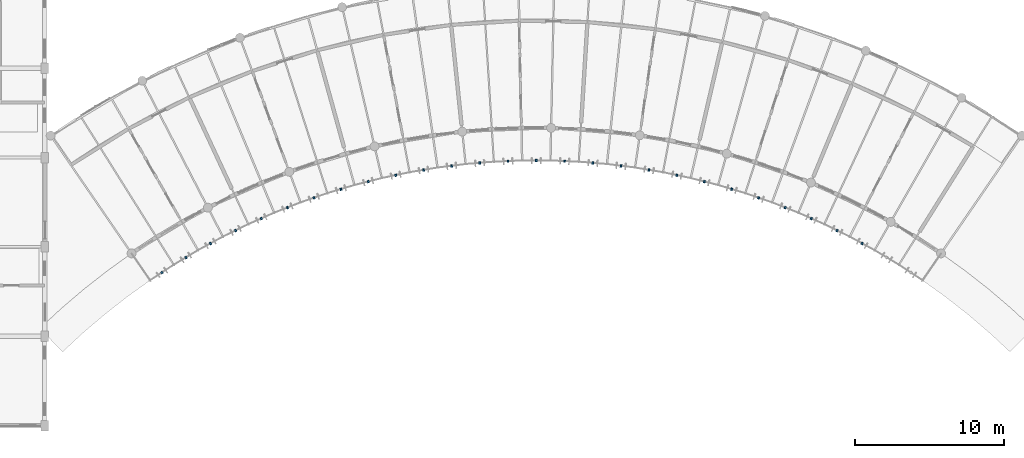
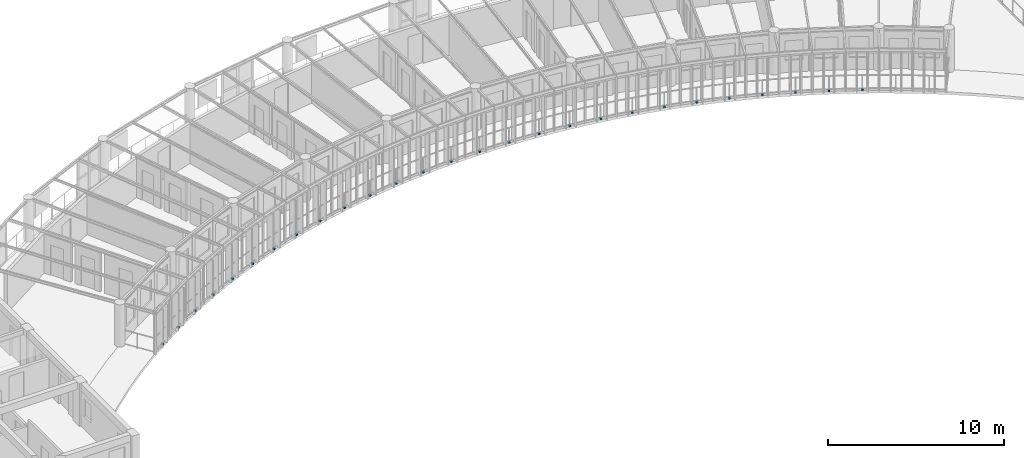
# One storey, part 87 of 101: 27 discrete accessories.
"""IFC4 building model written with IfcOpenShell, lengths in metres."""

from ifc_helpers import new_model, si_unit, direction, frame, origin, origin_2d, place, context, subcontext, project, spatial, rectangle, extrude, material, type_object, element, save


model = new_model("IFC4")

# Units and contexts
model_context = context("Model", 3, precision=1e-05, world=origin(), true_north=direction((0.0, 1.0)))
body_context = subcontext(model_context, "Body", "Model", "MODEL_VIEW")
ifc_project = project(units=[si_unit("LENGTHUNIT", "METRE"), si_unit("AREAUNIT", "SQUARE_METRE"), si_unit("VOLUMEUNIT", "CUBIC_METRE"), si_unit("PLANEANGLEUNIT", "RADIAN"), si_unit("MASSUNIT", "GRAM", prefix="KILO"), si_unit("POWERUNIT", "WATT"), si_unit("THERMODYNAMICTEMPERATUREUNIT", "KELVIN")], contexts=[model_context])

# Site, building, storey
site_placement = place(None, origin())
site = spatial("IfcSite", under=ifc_project, at=site_placement, CompositionType="ELEMENT")
building_placement = place(site_placement, origin())
building = spatial("IfcBuilding", under=site, at=building_placement, Name="Ruvembo Vaulted Housing Court", CompositionType="ELEMENT")
storey_placement = place(building_placement, frame((0.0, 0.0, 17.300048828125)))
storey = spatial("IfcBuildingStorey", under=building, at=storey_placement, Name="L05", CompositionType="ELEMENT", Elevation=17.300048828125)

# Discrete accessories
ifc_material = material(Name="Stainless Steel Grade 316", Category="steel")
discrete_accessory_type = type_object("IfcDiscreteAccessoryType", Name="ACC-BRACKET-SS", PredefinedType="BRACKET", material=ifc_material)
for number, where, z_axis, x_axis, name in (
    (1, (91.862060546875, 88.27294921875, 0.02978515625), (0.0, 0.0, 1.0), (0.548964466299, -0.835845688355, 0.0), "Stainless Louvre Rail Bracket #352"),
    (2, (93.471923828125, 89.283203125, 0.02978515625), (0.0, 0.0, 1.0), (0.513825768915, -0.857894561819, 0.0), "Stainless Louvre Rail Bracket #353"),
    (3, (95.122314453125, 90.2255859375, 0.02978515625), (0.0, 0.0, 1.0), (0.477787506376, -0.878475440038, 0.0), "Stainless Louvre Rail Bracket #354"),
    (4, (96.810546875, 91.098876953125, 0.02978515625), (0.0, 0.0, 1.0), (0.440910671447, -0.897550990086, 0.0), "Stainless Louvre Rail Bracket #355"),
    (5, (98.533447265625, 91.9013671875, 0.02978515625), (0.0, 0.0, 1.0), (0.403305746645, -0.915065284405, 0.0), "Stainless Louvre Rail Bracket #356"),
    (6, (100.288330078125, 92.631591796875, 0.02978515625), (0.0, 0.0, 1.0), (0.364958032896, -0.931023970811, 0.0), "Stainless Louvre Rail Bracket #357"),
    (7, (102.07177734375, 93.288330078125, 0.02978515625), (0.0, 0.0, 1.0), (0.326030183107, -0.945359360087, 0.0), "Stainless Louvre Rail Bracket #358"),
    (8, (103.881103515625, 93.87060546875, 0.02978515625), (0.0, 0.0, 1.0), (0.2864911095, -0.958082900472, 0.0), "Stainless Louvre Rail Bracket #359"),
    (9, (105.712890625, 94.377197265625, 0.02978515625), (0.0, 0.0, 1.0), (0.246491603437, -0.969144926951, 0.0), "Stainless Louvre Rail Bracket #360"),
    (10, (107.564208984375, 94.807373046875, 0.02978515625), (0.0, 0.0, 1.0), (0.206101715045, -0.978530573388, 0.0), "Stainless Louvre Rail Bracket #361"),
    (11, (109.431640625, 95.160400390625, 0.02978515625), (0.0, 0.0, 1.0), (0.165271382715, -0.986248128037, 0.0), "Stainless Louvre Rail Bracket #362"),
    (12, (111.3125, 95.435546875, 0.02978515625), (0.0, 0.0, 1.0), (0.12419031657, -0.992258416578, 0.0), "Stainless Louvre Rail Bracket #363"),
    (13, (113.202880859375, 95.63232421875, 0.02978515625), (0.0, 0.0, 1.0), (0.082895173943, -0.996558272324, 0.0), "Stainless Louvre Rail Bracket #364"),
    (14, (115.099853515625, 95.750732421875, 0.02978515625), (0.0, 0.0, 1.0), (0.041509453281, -0.999138111218, 0.0), "Stainless Louvre Rail Bracket #365"),
    (15, (117.0, 95.7900390625, 0.02978515625), (0.0, 0.0, 1.0), (0.0, -1.0, 0.0), "Stainless Louvre Rail Bracket #366"),
    (16, (118.900146484375, 95.750732421875, 0.02978515625), (0.0, 0.0, 1.0), (-0.041509453281, -0.999138111218, 0.0), "Stainless Louvre Rail Bracket #367"),
    (17, (120.797119140625, 95.63232421875, 0.02978515625), (0.0, 0.0, 1.0), (-0.082895173943, -0.996558272324, 0.0), "Stainless Louvre Rail Bracket #368"),
    (18, (122.6875, 95.435546875, 0.02978515625), (0.0, 0.0, 1.0), (-0.12419031657, -0.992258416578, 0.0), "Stainless Louvre Rail Bracket #369"),
    (19, (124.568359375, 95.160400390625, 0.02978515625), (0.0, 0.0, 1.0), (-0.165271382715, -0.986248128037, 0.0), "Stainless Louvre Rail Bracket #370"),
    (20, (126.435791015625, 94.807373046875, 0.02978515625), (0.0, 0.0, 1.0), (-0.206101715045, -0.978530573388, 0.0), "Stainless Louvre Rail Bracket #371"),
    (21, (128.287109375, 94.377197265625, 0.02978515625), (0.0, 0.0, 1.0), (-0.246491603437, -0.969144926951, 0.0), "Stainless Louvre Rail Bracket #372"),
    (22, (130.118896484375, 93.87060546875, 0.02978515625), (0.0, 0.0, 1.0), (-0.2864911095, -0.958082900472, 0.0), "Stainless Louvre Rail Bracket #373"),
    (23, (131.92822265625, 93.288330078125, 0.02978515625), (0.0, 0.0, 1.0), (-0.326030183107, -0.945359360087, 0.0), "Stainless Louvre Rail Bracket #374"),
    (24, (133.711669921875, 92.631591796875, 0.02978515625), (0.0, 0.0, 1.0), (-0.364958032896, -0.931023970811, 0.0), "Stainless Louvre Rail Bracket #375"),
    (25, (135.466552734375, 91.9013671875, 0.02978515625), (0.0, 0.0, 1.0), (-0.403305746645, -0.915065284405, 0.0), "Stainless Louvre Rail Bracket #376"),
    (26, (137.189453125, 91.098876953125, 0.02978515625), (0.0, 0.0, 1.0), (-0.440910671447, -0.897550990086, 0.0), "Stainless Louvre Rail Bracket #377"),
    (27, (138.877685546875, 90.2255859375, 0.02978515625), (0.0, 0.0, 1.0), (-0.477787506376, -0.878475440038, 0.0), "Stainless Louvre Rail Bracket #378"),
):
    element("IfcDiscreteAccessory", number, at=place(storey_placement, frame(where, z_axis=z_axis, x_axis=x_axis)), inside=storey, type_object=discrete_accessory_type, Name=name, PredefinedType="BRACKET", context=body_context, shape_type="SweptSolid", body=[
        extrude(rectangle(XDim=0.159912109375, YDim=0.1201171875, at=origin_2d()), origin(), (0.0, 0.0, 1.0), 0.10009765625),
    ])

save(model, "model.ifc")
